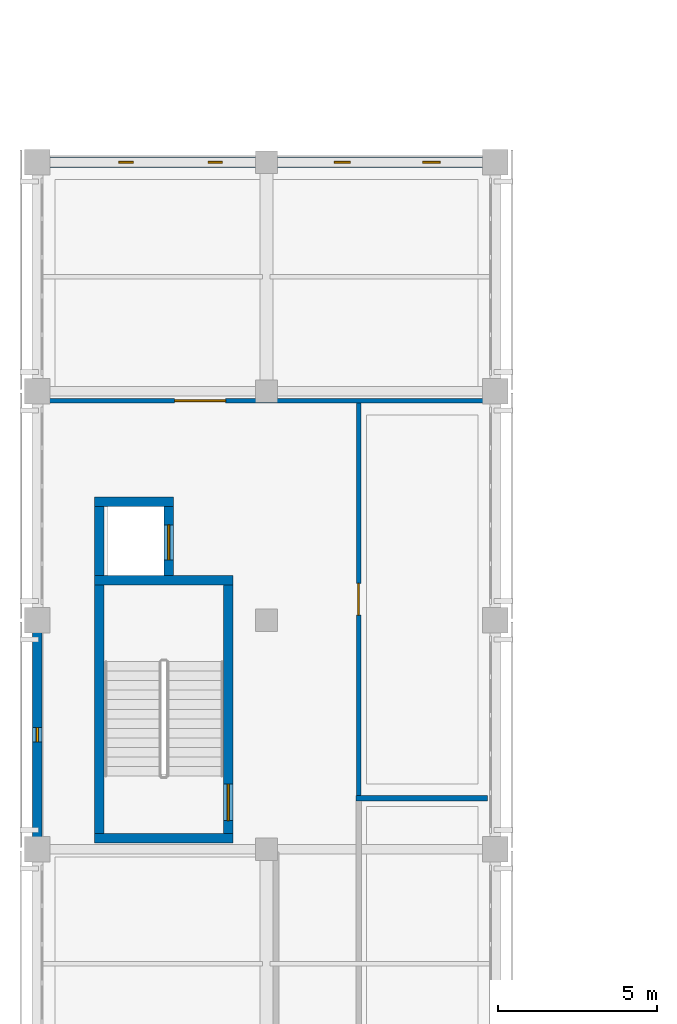
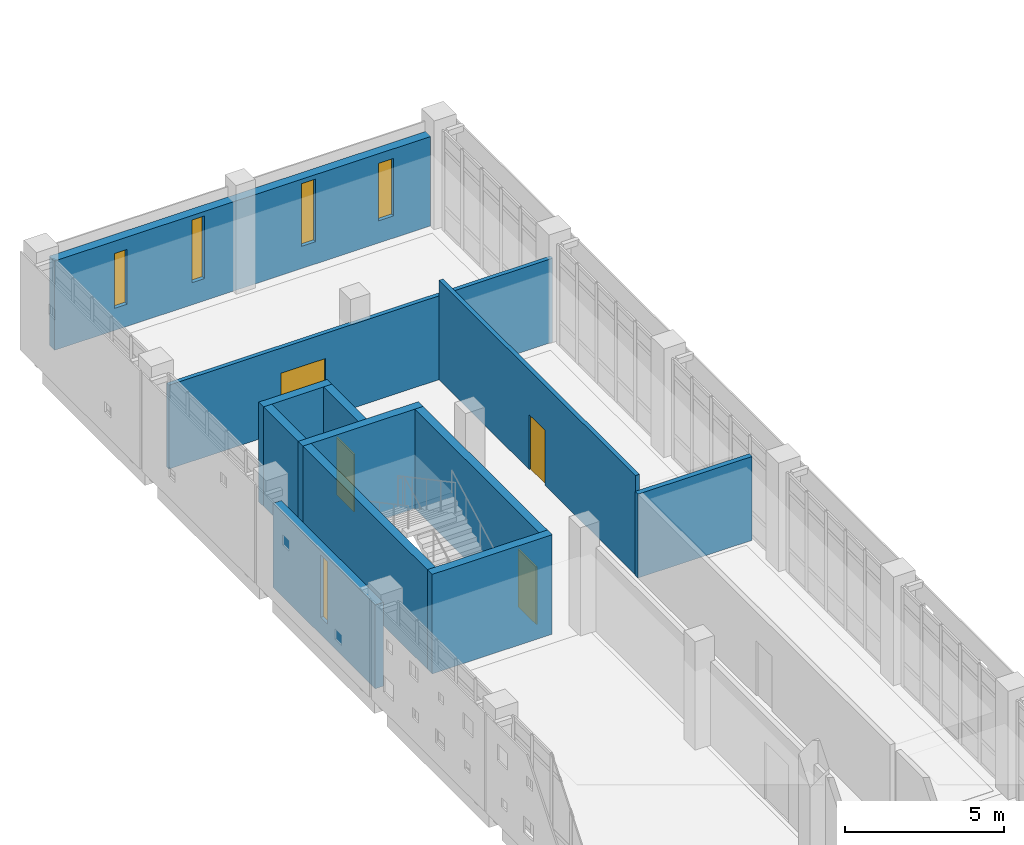
# One storey, part 21 of 33: 12 walls, 5 windows, 4 doors, 9 openings.
"""IFC4 building model written with IfcOpenShell, lengths in metres."""

from ifc_helpers import new_model, si_unit, direction, frame, frame_2d, origin, place, context, subcontext, project, spatial, rectangle, extrude, material, layer, layer_set, type_object, element, fill, save


model = new_model("IFC4")

# Units and contexts
model_context = context("Model", 3, precision=1e-05, world=origin(), true_north=direction((0.0, 1.0)))
body_context = subcontext(model_context, "Body", "Model", "MODEL_VIEW")
ifc_project = project(units=[si_unit("LENGTHUNIT", "METRE"), si_unit("AREAUNIT", "SQUARE_METRE"), si_unit("VOLUMEUNIT", "CUBIC_METRE"), si_unit("PLANEANGLEUNIT", "RADIAN"), si_unit("MASSUNIT", "GRAM", prefix="KILO")], contexts=[model_context])

# Site, building, storey
site_placement = place(None, origin())
site = spatial("IfcSite", under=ifc_project, at=site_placement, CompositionType="ELEMENT")
building_placement = place(site_placement, origin())
building = spatial("IfcBuilding", under=site, at=building_placement, Name="Valkovuoma Quantum and Materials Research Institute", CompositionType="ELEMENT")
storey_placement = place(building_placement, frame((0.0, 0.0, 21.43994140625)))
storey = spatial("IfcBuildingStorey", under=building, at=storey_placement, Name="L05", CompositionType="ELEMENT", Elevation=21.43994140625)

# Walls
ifc_material_1 = material(Name="Concrete C40/50", Category="concrete")
ifc_layer_1 = layer(ifc_material_1, 0.300048828125)
ifc_layer_set_1 = layer_set([ifc_layer_1], Name="Concrete C40/50")
wall_type_1 = type_object("IfcWallType", Name="Wall-W-COR300", PredefinedType="SHEAR", material=ifc_layer_set_1)
for number, where, z_axis, x_axis, name in (
    (1, (1.800048828125, 72.35009765625, 0.0), (0.0, 0.0, 1.0), (1.0, 0.0, 0.0), "L05 core wall 0164"),
    (2, (1.800048828125, 80.449951171875, 0.0), (0.0, 0.0, 1.0), (1.0, 0.0, 0.0), "L05 core wall 0165"),
):
    element("IfcWall", number, at=place(storey_placement, frame(where, z_axis=z_axis, x_axis=x_axis)), inside=storey, type_object=wall_type_1, Name=name, PredefinedType="SHEAR", context=body_context, shape_type="SweptSolid", body=[
        extrude(rectangle(XDim=4.349853515625, YDim=0.300048828125, at=frame_2d((2.1748046875, 0.0))), origin(), (0.0, 0.0, 1.0), 3.81005859375),
    ])
wall_1_placement = place(storey_placement, frame((1.949951171875, 72.5, 0.0), z_axis=(0.0, 0.0, 1.0), x_axis=(0.0, 1.0, 0.0)))
element("IfcWall", 3, at=wall_1_placement, inside=storey, type_object=wall_type_1, Name="L05 core wall 0166", PredefinedType="SHEAR", context=body_context, shape_type="SweptSolid", body=[
    extrude(rectangle(XDim=7.800048828125, YDim=0.300048828125, at=frame_2d((3.89990234375, 0.0))), origin(), (0.0, 0.0, 1.0), 3.81005859375),
])

# Wall, opening, door
wall_2_placement = place(storey_placement, frame((6.0, 72.5, 0.0), z_axis=(0.0, 0.0, 1.0), x_axis=(0.0, 1.0, 0.0)))
wall_2 = element("IfcWall", 4, at=wall_2_placement, inside=storey, type_object=wall_type_1, Name="L05 core wall 0167", PredefinedType="SHEAR", context=body_context, shape_type="SweptSolid", body=[
    extrude(rectangle(XDim=7.800048828125, YDim=0.300048828125, at=frame_2d((3.89990234375, 0.0))), origin(), (0.0, 0.0, 1.0), 3.81005859375),
])
opening_1_placement = place(wall_2_placement, frame((0.39990234375, 0.0, 0.0)))
opening_1 = element("IfcOpeningElement", 5, at=opening_1_placement, cuts=wall_2, Name="Opening SD-029", PredefinedType="OPENING", context=body_context, shape_type="SweptSolid", body=[
    extrude(rectangle(XDim=1.14990234375, YDim=2.199951171875, at=frame_2d((0.574951171875, 1.10009765625))), frame((0.0, 0.16015625, 0.0), z_axis=(0.0, -1.0, 0.0), x_axis=(1.0, 0.0, 0.0)), (0.0, 0.0, 1.0), 0.320068359375),
])
ifc_material_2 = material(Name="Powder-coated steel and acoustic timber door assembly", Category="steel")
door_type_1 = type_object("IfcDoorType", Name="Door-DR-ST60", OperationType="NOTDEFINED", PredefinedType="DOOR", material=ifc_material_2)
door_1_placement = place(opening_1_placement, origin())
door_1 = element("IfcDoor", 6, at=door_1_placement, inside=storey, type_object=door_type_1, Name="L05 ST-2 fire door", OperationType="SINGLE_SWING_RIGHT", OverallHeight=2.199951171875, OverallWidth=1.14990234375, PredefinedType="DOOR", context=body_context, shape_type="SweptSolid", body=[
    extrude(rectangle(XDim=1.14990234375, YDim=2.199951171875, at=frame_2d((0.574951171875, 1.10009765625))), frame((0.0, 0.02490234375, 0.0), z_axis=(0.0, -1.0, 0.0), x_axis=(1.0, 0.0, 0.0)), (0.0, 0.0, 1.0), 0.050048828125),
])
fill(opening_1, door_1)

# Walls
wall_3_placement = place(storey_placement, frame((1.800048828125, 82.929931640625, 0.0), z_axis=(0.0, 0.0, 1.0), x_axis=(1.0, 0.0, 0.0)))
element("IfcWall", 7, at=wall_3_placement, inside=storey, type_object=wall_type_1, Name="L05 core wall 0168", PredefinedType="SHEAR", context=body_context, shape_type="SweptSolid", body=[
    extrude(rectangle(XDim=2.47998046875, YDim=0.300048828125, at=frame_2d((1.239990234375, 0.0))), origin(), (0.0, 0.0, 1.0), 3.81005859375),
])
wall_4_placement = place(storey_placement, frame((1.949951171875, 80.60009765625, 0.0), z_axis=(0.0, 0.0, 1.0), x_axis=(0.0, 1.0, 0.0)))
element("IfcWall", 8, at=wall_4_placement, inside=storey, type_object=wall_type_1, Name="L05 core wall 0169", PredefinedType="SHEAR", context=body_context, shape_type="SweptSolid", body=[
    extrude(rectangle(XDim=2.179931640625, YDim=0.300048828125, at=frame_2d((1.08984375, 0.0))), origin(), (0.0, 0.0, 1.0), 3.81005859375),
])

# Wall, opening, door
wall_5_placement = place(storey_placement, frame((4.1298828125, 80.60009765625, 0.0), z_axis=(0.0, 0.0, 1.0), x_axis=(0.0, 1.0, 0.0)))
wall_5 = element("IfcWall", 9, at=wall_5_placement, inside=storey, type_object=wall_type_1, Name="L05 core wall 0170", PredefinedType="SHEAR", context=body_context, shape_type="SweptSolid", body=[
    extrude(rectangle(XDim=2.179931640625, YDim=0.300048828125, at=frame_2d((1.08984375, 0.0))), origin(), (0.0, 0.0, 1.0), 3.81005859375),
])
opening_2_placement = place(wall_5_placement, frame((0.5, 0.0, 0.0)))
opening_2 = element("IfcOpeningElement", 10, at=opening_2_placement, cuts=wall_5, Name="Opening LD-029", PredefinedType="OPENING", context=body_context, shape_type="SweptSolid", body=[
    extrude(rectangle(XDim=1.10009765625, YDim=2.199951171875, at=frame_2d((0.550048828125, 1.10009765625))), frame((0.0, 0.16015625, 0.0), z_axis=(0.0, -1.0, 0.0), x_axis=(1.0, 0.0, 0.0)), (0.0, 0.0, 1.0), 0.320068359375),
])
ifc_material_3 = material(Name="Powder-coated steel and acoustic timber door assembly", Category="steel")
door_type_2 = type_object("IfcDoorType", Name="Door-DR-LD01", OperationType="NOTDEFINED", PredefinedType="DOOR", material=ifc_material_3)
door_2_placement = place(opening_2_placement, origin())
door_2 = element("IfcDoor", 11, at=door_2_placement, inside=storey, type_object=door_type_2, Name="L05 LIFT-P2 sliding landing door", OperationType="SLIDING_TO_LEFT", OverallHeight=2.199951171875, OverallWidth=1.10009765625, PredefinedType="DOOR", context=body_context, shape_type="SweptSolid", body=[
    extrude(rectangle(XDim=1.10009765625, YDim=2.199951171875, at=frame_2d((0.550048828125, 1.10009765625))), frame((0.0, 0.02490234375, 0.0), z_axis=(0.0, -1.0, 0.0), x_axis=(1.0, 0.0, 0.0)), (0.0, 0.0, 1.0), 0.050048828125),
])
fill(opening_2, door_2)

# Wall, opening, window
ifc_material_4 = material(Name="Precast concrete C40/50", Category="concrete")
ifc_layer_2 = layer(ifc_material_4, 0.300048828125)
ifc_layer_set_2 = layer_set([ifc_layer_2], Name="Precast concrete C40/50")
wall_type_2 = type_object("IfcWallType", Name="Wall-W-EXT300", PredefinedType="SOLIDWALL", material=ifc_layer_set_2)
wall_6_placement = place(storey_placement, frame((0.0, 72.389892578125, 0.0), z_axis=(0.0, 0.0, 1.0), x_axis=(0.0, 1.0, 0.0)))
wall_6 = element("IfcWall", 12, at=wall_6_placement, inside=storey, type_object=wall_type_2, Name="L05 exterior wall 0052", PredefinedType="SOLIDWALL", context=body_context, shape_type="SweptSolid", body=[
    extrude(rectangle(XDim=6.420166015625, YDim=0.300048828125, at=frame_2d((3.2099609375, 0.0))), origin(), (0.0, 0.0, 1.0), 3.2099609375),
])
opening_3_placement = place(wall_6_placement, frame((2.985107421875, 0.0, 0.64990234375)))
opening_3 = element("IfcOpeningElement", 13, at=opening_3_placement, cuts=wall_6, Name="Opening WN-SL01", PredefinedType="OPENING", context=body_context, shape_type="SweptSolid", body=[
    extrude(rectangle(XDim=0.449951171875, YDim=2.39990234375, at=frame_2d((0.22509765625, 1.199951171875))), frame((0.0, 0.16015625, 0.0), z_axis=(0.0, -1.0, 0.0), x_axis=(1.0, 0.0, 0.0)), (0.0, 0.0, 1.0), 0.320068359375),
])
ifc_material_5 = material(Name="Triple low-E argon glazing in thermally broken aluminium frame", Category="aluminium")
window_type_1 = type_object("IfcWindowType", Name="Win-WN-SL01", PartitioningType="SINGLE_PANEL", PredefinedType="WINDOW", material=ifc_material_5)
window_1_placement = place(opening_3_placement, origin())
window_1 = element("IfcWindow", 14, at=window_1_placement, inside=storey, type_object=window_type_1, Name="L05 window 0041", OverallHeight=2.39990234375, OverallWidth=0.449951171875, PartitioningType="SINGLE_PANEL", PredefinedType="WINDOW", context=body_context, shape_type="SweptSolid", body=[
    extrude(rectangle(XDim=0.449951171875, YDim=2.39990234375, at=frame_2d((0.22509765625, 1.199951171875))), frame((0.0, 0.030029296875, 0.0), z_axis=(0.0, -1.0, 0.0), x_axis=(1.0, 0.0, 0.0)), (0.0, 0.0, 1.0), 0.06005859375),
])
fill(opening_3, window_1)

# Wall, openings, windows
ifc_material_6 = material(Name="Precast concrete C40/50", Category="concrete")
ifc_layer_3 = layer(ifc_material_6, 0.320068359375)
ifc_layer_set_3 = layer_set([ifc_layer_3], Name="Precast concrete C40/50")
wall_type_3 = type_object("IfcWallType", Name="Wall-W-EXT320", PredefinedType="SOLIDWALL", material=ifc_layer_set_3)
wall_7_placement = place(storey_placement, frame((0.389892578125, 93.60009765625, 0.0), z_axis=(0.0, 0.0, 1.0), x_axis=(1.0, 0.0, 0.0)))
wall_7 = element("IfcWall", 15, at=wall_7_placement, inside=storey, type_object=wall_type_3, Name="L05 exterior wall 0050", PredefinedType="SOLIDWALL", context=body_context, shape_type="SweptSolid", body=[
    extrude(rectangle(XDim=13.6201171875, YDim=0.320068359375, at=frame_2d((6.81005859375, 0.0))), origin(), (0.0, 0.0, 1.0), 3.420166015625),
])
opening_4_placement = place(wall_7_placement, frame((2.175048828125, 0.0, 0.85009765625)))
opening_4 = element("IfcOpeningElement", 16, at=opening_4_placement, cuts=wall_7, Name="Opening WN-SL04", PredefinedType="OPENING", context=body_context, shape_type="SweptSolid", body=[
    extrude(rectangle(XDim=0.449951171875, YDim=2.10009765625, at=frame_2d((0.22509765625, 1.050048828125))), frame((0.0, 0.169921875, 0.0), z_axis=(0.0, -1.0, 0.0), x_axis=(1.0, 0.0, 0.0)), (0.0, 0.0, 1.0), 0.340087890625),
])
opening_5_placement = place(wall_7_placement, frame((4.97509765625, 0.0, 0.85009765625)))
opening_5 = element("IfcOpeningElement", 17, at=opening_5_placement, cuts=wall_7, Name="Opening WN-SL01", PredefinedType="OPENING", context=body_context, shape_type="SweptSolid", body=[
    extrude(rectangle(XDim=0.449951171875, YDim=2.39990234375, at=frame_2d((0.22509765625, 1.199951171875))), frame((0.0, 0.169921875, 0.0), z_axis=(0.0, -1.0, 0.0), x_axis=(1.0, 0.0, 0.0)), (0.0, 0.0, 1.0), 0.340087890625),
])
opening_6_placement = place(wall_7_placement, frame((8.949951171875, 0.0, 0.85009765625)))
opening_6 = element("IfcOpeningElement", 18, at=opening_6_placement, cuts=wall_7, Name="Opening WN-SL02", PredefinedType="OPENING", context=body_context, shape_type="SweptSolid", body=[
    extrude(rectangle(XDim=0.5, YDim=2.39990234375, at=frame_2d((0.25, 1.199951171875))), frame((0.0, 0.169921875, 0.0), z_axis=(0.0, -1.0, 0.0), x_axis=(1.0, 0.0, 0.0)), (0.0, 0.0, 1.0), 0.340087890625),
])
opening_7_placement = place(wall_7_placement, frame((11.72509765625, 0.0, 0.85009765625)))
opening_7 = element("IfcOpeningElement", 19, at=opening_7_placement, cuts=wall_7, Name="Opening WN-SL03", PredefinedType="OPENING", context=body_context, shape_type="SweptSolid", body=[
    extrude(rectangle(XDim=0.550048828125, YDim=2.199951171875, at=frame_2d((0.27490234375, 1.10009765625))), frame((0.0, 0.169921875, 0.0), z_axis=(0.0, -1.0, 0.0), x_axis=(1.0, 0.0, 0.0)), (0.0, 0.0, 1.0), 0.340087890625),
])
window_2_placement = place(opening_5_placement, origin())
window_2 = element("IfcWindow", 20, at=window_2_placement, inside=storey, type_object=window_type_1, Name="L05 window 0038", OverallHeight=2.39990234375, OverallWidth=0.449951171875, PartitioningType="SINGLE_PANEL", PredefinedType="WINDOW", context=body_context, shape_type="SweptSolid", body=[
    extrude(rectangle(XDim=0.449951171875, YDim=2.39990234375, at=frame_2d((0.22509765625, 1.199951171875))), frame((0.0, 0.030029296875, 0.0), z_axis=(0.0, -1.0, 0.0), x_axis=(1.0, 0.0, 0.0)), (0.0, 0.0, 1.0), 0.06005859375),
])
fill(opening_5, window_2)
ifc_material_7 = material(Name="Triple low-E argon glazing in thermally broken aluminium frame", Category="aluminium")
window_type_2 = type_object("IfcWindowType", Name="Win-WN-SL02", PartitioningType="SINGLE_PANEL", PredefinedType="WINDOW", material=ifc_material_7)
window_3_placement = place(opening_6_placement, origin())
window_3 = element("IfcWindow", 21, at=window_3_placement, inside=storey, type_object=window_type_2, Name="L05 window 0039", OverallHeight=2.39990234375, OverallWidth=0.5, PartitioningType="SINGLE_PANEL", PredefinedType="WINDOW", context=body_context, shape_type="SweptSolid", body=[
    extrude(rectangle(XDim=0.5, YDim=2.39990234375, at=frame_2d((0.25, 1.199951171875))), frame((0.0, 0.030029296875, 0.0), z_axis=(0.0, -1.0, 0.0), x_axis=(1.0, 0.0, 0.0)), (0.0, 0.0, 1.0), 0.06005859375),
])
fill(opening_6, window_3)
ifc_material_8 = material(Name="Triple low-E argon glazing in thermally broken aluminium frame", Category="aluminium")
window_type_3 = type_object("IfcWindowType", Name="Win-WN-SL03", PartitioningType="SINGLE_PANEL", PredefinedType="WINDOW", material=ifc_material_8)
window_4_placement = place(opening_7_placement, origin())
window_4 = element("IfcWindow", 22, at=window_4_placement, inside=storey, type_object=window_type_3, Name="L05 window 0040", OverallHeight=2.199951171875, OverallWidth=0.550048828125, PartitioningType="SINGLE_PANEL", PredefinedType="WINDOW", context=body_context, shape_type="SweptSolid", body=[
    extrude(rectangle(XDim=0.550048828125, YDim=2.199951171875, at=frame_2d((0.27490234375, 1.10009765625))), frame((0.0, 0.030029296875, 0.0), z_axis=(0.0, -1.0, 0.0), x_axis=(1.0, 0.0, 0.0)), (0.0, 0.0, 1.0), 0.06005859375),
])
fill(opening_7, window_4)
ifc_material_9 = material(Name="Triple low-E argon glazing in thermally broken aluminium frame", Category="aluminium")
window_type_4 = type_object("IfcWindowType", Name="Win-WN-SL04", PartitioningType="SINGLE_PANEL", PredefinedType="WINDOW", material=ifc_material_9)
window_5_placement = place(opening_4_placement, origin())
window_5 = element("IfcWindow", 23, at=window_5_placement, inside=storey, type_object=window_type_4, Name="L05 window 0037", OverallHeight=2.10009765625, OverallWidth=0.449951171875, PartitioningType="SINGLE_PANEL", PredefinedType="WINDOW", context=body_context, shape_type="SweptSolid", body=[
    extrude(rectangle(XDim=0.449951171875, YDim=2.10009765625, at=frame_2d((0.22509765625, 1.050048828125))), frame((0.0, 0.030029296875, 0.0), z_axis=(0.0, -1.0, 0.0), x_axis=(1.0, 0.0, 0.0)), (0.0, 0.0, 1.0), 0.06005859375),
])
fill(opening_4, window_5)

# Wall, opening, door
ifc_material_10 = material(Name="Acoustic write-up studio partition", Category="masonry")
ifc_layer_4 = layer(ifc_material_10, 0.14990234375)
ifc_layer_set_4 = layer_set([ifc_layer_4], Name="Acoustic write-up studio partition")
wall_type_4 = type_object("IfcWallType", Name="Wall-W-PRT150", PredefinedType="PARTITIONING", material=ifc_layer_set_4)
wall_8_placement = place(storey_placement, frame((0.25, 86.10009765625, 0.0), z_axis=(0.0, 0.0, 1.0), x_axis=(1.0, 0.0, 0.0)))
wall_8 = element("IfcWall", 24, at=wall_8_placement, inside=storey, type_object=wall_type_4, Name="L05 partition 0209", PredefinedType="PARTITIONING", context=body_context, shape_type="SweptSolid", body=[
    extrude(rectangle(XDim=13.89990234375, YDim=0.14990234375, at=frame_2d((6.949951171875, 0.0))), origin(), (0.0, 0.0, 1.0), 3.2099609375),
])
opening_8_placement = place(wall_8_placement, frame((4.06494140625, 0.0, 0.0)))
opening_8 = element("IfcOpeningElement", 25, at=opening_8_placement, cuts=wall_8, Name="Opening ID-0150", PredefinedType="OPENING", context=body_context, shape_type="SweptSolid", body=[
    extrude(rectangle(XDim=1.60009765625, YDim=2.25, at=frame_2d((0.800048828125, 1.125))), frame((0.0, 0.0849609375, 0.0), z_axis=(0.0, -1.0, 0.0), x_axis=(1.0, 0.0, 0.0)), (0.0, 0.0, 1.0), 0.169921875),
])
ifc_material_11 = material(Name="Powder-coated steel and acoustic timber door assembly", Category="steel")
door_type_3 = type_object("IfcDoorType", Name="Door-DR-LB06", OperationType="NOTDEFINED", PredefinedType="DOOR", material=ifc_material_11)
door_3_placement = place(opening_8_placement, origin())
door_3 = element("IfcDoor", 26, at=door_3_placement, inside=storey, type_object=door_type_3, Name="L05 room door 0150", OperationType="DOUBLE_DOOR_SINGLE_SWING", OverallHeight=2.25, OverallWidth=1.60009765625, PredefinedType="DOOR", context=body_context, shape_type="SweptSolid", body=[
    extrude(rectangle(XDim=1.60009765625, YDim=2.25, at=frame_2d((0.800048828125, 1.125))), frame((0.0, 0.02490234375, 0.0), z_axis=(0.0, -1.0, 0.0), x_axis=(1.0, 0.0, 0.0)), (0.0, 0.0, 1.0), 0.050048828125),
])
fill(opening_8, door_3)

wall_9_placement = place(storey_placement, frame((10.10009765625, 73.68994140625, 0.0), z_axis=(0.0, 0.0, 1.0), x_axis=(0.0, 1.0, 0.0)))
wall_9 = element("IfcWall", 27, at=wall_9_placement, inside=storey, type_object=wall_type_4, Name="L05 partition 0215", PredefinedType="PARTITIONING", context=body_context, shape_type="SweptSolid", body=[
    extrude(rectangle(XDim=12.3349609375, YDim=0.14990234375, at=frame_2d((6.16748046875, 0.0))), origin(), (0.0, 0.0, 1.0), 3.81005859375),
])
opening_9_placement = place(wall_9_placement, frame((5.66748046875, 0.0, 0.0)))
opening_9 = element("IfcOpeningElement", 28, at=opening_9_placement, cuts=wall_9, Name="Opening ID-0154", PredefinedType="OPENING", context=body_context, shape_type="SweptSolid", body=[
    extrude(rectangle(XDim=1.0, YDim=2.10009765625, at=frame_2d((0.5, 1.050048828125))), frame((0.0, 0.0849609375, 0.0), z_axis=(0.0, -1.0, 0.0), x_axis=(1.0, 0.0, 0.0)), (0.0, 0.0, 1.0), 0.169921875),
])
ifc_material_12 = material(Name="Powder-coated steel and acoustic timber door assembly", Category="steel")
door_type_4 = type_object("IfcDoorType", Name="Door-DR-OF04", OperationType="NOTDEFINED", PredefinedType="DOOR", material=ifc_material_12)
door_4_placement = place(opening_9_placement, origin())
door_4 = element("IfcDoor", 29, at=door_4_placement, inside=storey, type_object=door_type_4, Name="L05 room door 0154", OperationType="SINGLE_SWING_LEFT", OverallHeight=2.10009765625, OverallWidth=1.0, PredefinedType="DOOR", context=body_context, shape_type="SweptSolid", body=[
    extrude(rectangle(XDim=1.0, YDim=2.10009765625, at=frame_2d((0.5, 1.050048828125))), frame((0.0, 0.02490234375, 0.0), z_axis=(0.0, -1.0, 0.0), x_axis=(1.0, 0.0, 0.0)), (0.0, 0.0, 1.0), 0.050048828125),
])
fill(opening_9, door_4)

# Wall
ifc_material_13 = material(Name="Laboratory fire-rated gypsum partition", Category="masonry")
ifc_layer_5 = layer(ifc_material_13, 0.179931640625)
ifc_layer_set_5 = layer_set([ifc_layer_5], Name="Laboratory fire-rated gypsum partition")
wall_type_5 = type_object("IfcWallType", Name="Wall-W-PRT180", PredefinedType="PARTITIONING", material=ifc_layer_set_5)
wall_10_placement = place(storey_placement, frame((10.010009765625, 73.60009765625, 0.0), z_axis=(0.0, 0.0, 1.0), x_axis=(1.0, 0.0, 0.0)))
element("IfcWall", 30, at=wall_10_placement, inside=storey, type_object=wall_type_5, Name="L05 partition 0213", PredefinedType="PARTITIONING", context=body_context, shape_type="SweptSolid", body=[
    extrude(rectangle(XDim=4.139892578125, YDim=0.179931640625, at=frame_2d((2.06982421875, 0.0))), origin(), (0.0, 0.0, 1.0), 3.2099609375),
])

save(model, "model.ifc")
